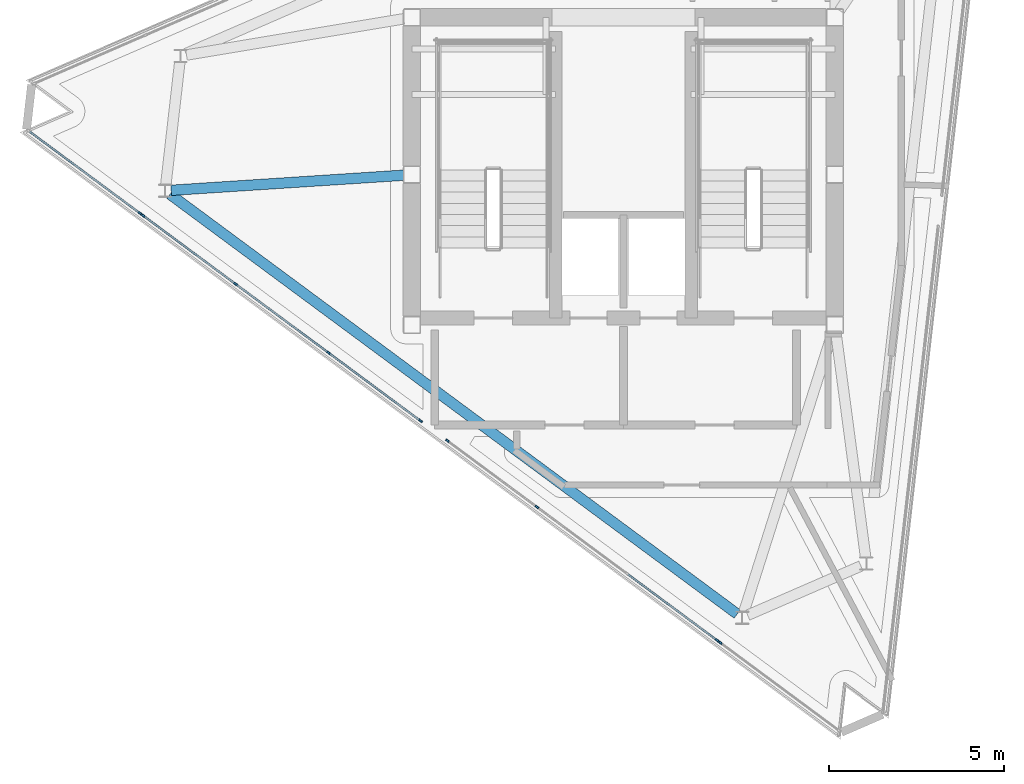
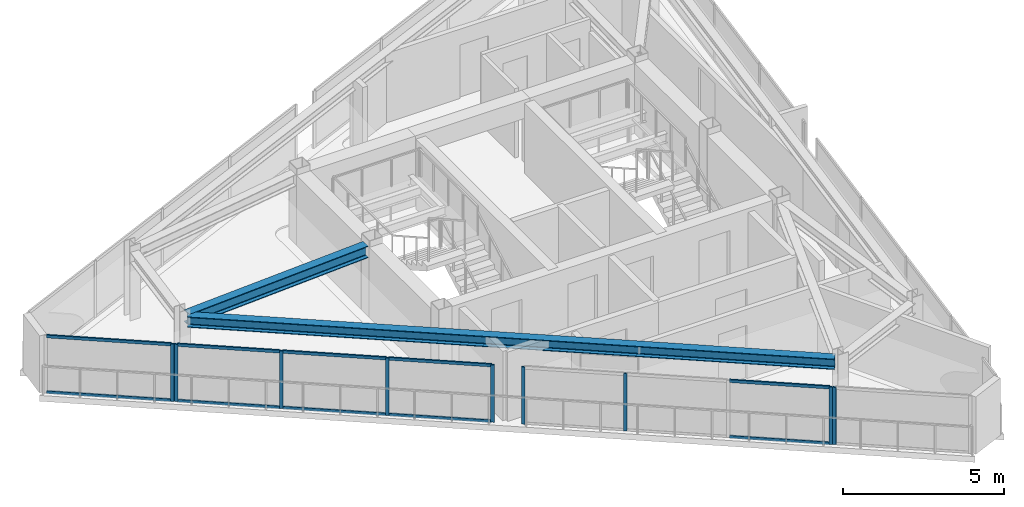
# One storey, part 2 of 10: 19 members, 2 beams, 4 elements without a shape of their own.
"""IFC4 building model written with IfcOpenShell, lengths in metres."""

from ifc_helpers import new_model, si_unit, direction, frame, origin, origin_2d, place, context, subcontext, project, spatial, rectangle, i_section, extrude, material, layer, layer_set, material_profile, profile_set, type_object, element, aggregate, save


model = new_model("IFC4")

# Units and contexts
model_context = context("Model", 3, precision=1e-05, world=origin(), true_north=direction((0.0, 1.0)))
body_context = subcontext(model_context, "Body", "Model", "MODEL_VIEW")
ifc_project = project(units=[si_unit("LENGTHUNIT", "METRE"), si_unit("AREAUNIT", "SQUARE_METRE"), si_unit("VOLUMEUNIT", "CUBIC_METRE"), si_unit("PLANEANGLEUNIT", "RADIAN"), si_unit("MASSUNIT", "GRAM", prefix="KILO")], contexts=[model_context])

# Site, building, storey
site_placement = place(None, origin())
site = spatial("IfcSite", under=ifc_project, at=site_placement, CompositionType="ELEMENT")
building_placement = place(site_placement, origin())
building = spatial("IfcBuilding", under=site, at=building_placement, Name="Rocaltana Carrier Exchange", CompositionType="ELEMENT")
storey_placement = place(building_placement, frame((0.0, 0.0, 252.0)))
storey = spatial("IfcBuildingStorey", under=building, at=storey_placement, Name="L80", CompositionType="ELEMENT", Elevation=252.0)

# Curtain wall, member
ifc_material_1 = material(Name="Aluminium 6063-T6", Category="aluminium")
ifc_layer = layer(ifc_material_1, 0.110107421875)
ifc_layer_set = layer_set([ifc_layer], Name="Aluminium 6063-T6")
curtain_wall_type = type_object("IfcCurtainWallType", Name="Crown Lantern Faceted Curtain Wall CW-06", PredefinedType="NOTDEFINED", material=ifc_layer_set)
curtain_wall_1_placement = place(storey_placement, origin())
curtain_wall_1 = element("IfcCurtainWall", 1, at=curtain_wall_1_placement, inside=storey, type_object=curtain_wall_type, Name="L80 CW-06 Run CW06-L80-F3S1-S1", PredefinedType="NOTDEFINED")
ifc_material_2 = material(Name="Aluminium 6063-T6", Category="aluminium")
ifc_material_profile_1 = material_profile(ifc_material_2, rectangle(XDim=0.054931640625, YDim=0.110107421875, at=origin_2d()), Name="AL-55X110")
ifc_profile_set_1 = profile_set([ifc_material_profile_1], Name="Aluminium 6063-T6")
member_type_1 = type_object("IfcMemberType", Name="CW-06 Mullion AL-55X110", PredefinedType="MULLION", material=ifc_profile_set_1)
member_1_placement = place(storey_placement, frame((-13.83447265625, -1.1025390625, 0.0), z_axis=(0.0, 0.0, 1.0), x_axis=(0.594839462452, 0.80384452098, 0.0)))
member_1 = element("IfcMember", 2, at=member_1_placement, type_object=member_type_1, Name="CW-06 mullion 2", PredefinedType="MULLION", context=body_context, shape_type="SweptSolid", body=[
    extrude(rectangle(XDim=0.054931640625, YDim=0.110107421875, at=origin_2d()), origin(), (0.0, 0.0, 1.0), 2.16796875),
])

# Curtain wall, members
curtain_wall_2_placement = place(storey_placement, origin())
curtain_wall_2 = element("IfcCurtainWall", 3, at=curtain_wall_2_placement, inside=storey, type_object=curtain_wall_type, Name="L80 CW-06 Run CW06-L80-F3S1-S2", PredefinedType="NOTDEFINED")
member_2_placement = place(storey_placement, frame((-13.7373046875, -1.174560546875, 0.0), z_axis=(0.0, 0.0, 1.0), x_axis=(0.594820601669, 0.803858477489, 0.0)))
member_2 = element("IfcMember", 4, at=member_2_placement, type_object=member_type_1, Name="CW-06 mullion 1", PredefinedType="MULLION", context=body_context, shape_type="SweptSolid", body=[
    extrude(rectangle(XDim=0.054931640625, YDim=0.110107421875, at=origin_2d()), origin(), (0.0, 0.0, 1.0), 2.16796875),
])
member_3_placement = place(storey_placement, frame((-11.100830078125, -3.12548828125, 0.0), z_axis=(0.0, 0.0, 1.0), x_axis=(0.594820601669, 0.803858477489, 0.0)))
member_3 = element("IfcMember", 5, at=member_3_placement, type_object=member_type_1, Name="CW-06 mullion 2", PredefinedType="MULLION", context=body_context, shape_type="SweptSolid", body=[
    extrude(rectangle(XDim=0.054931640625, YDim=0.110107421875, at=origin_2d()), origin(), (0.0, 0.0, 1.0), 2.16796875),
])
member_4_placement = place(storey_placement, frame((-8.442138671875, -5.092529296875, 0.0), z_axis=(0.0, 0.0, 1.0), x_axis=(0.594820601669, 0.803858477489, 0.0)))
member_4 = element("IfcMember", 6, at=member_4_placement, type_object=member_type_1, Name="CW-06 mullion 3", PredefinedType="MULLION", context=body_context, shape_type="SweptSolid", body=[
    extrude(rectangle(XDim=0.054931640625, YDim=0.110107421875, at=origin_2d()), origin(), (0.0, 0.0, 1.0), 2.16796875),
])
member_5_placement = place(storey_placement, frame((-5.805908203125, -7.04345703125, 0.0), z_axis=(0.0, 0.0, 1.0), x_axis=(0.594820601669, 0.803858477489, 0.0)))
member_5 = element("IfcMember", 7, at=member_5_placement, type_object=member_type_1, Name="CW-06 mullion 4", PredefinedType="MULLION", context=body_context, shape_type="SweptSolid", body=[
    extrude(rectangle(XDim=0.054931640625, YDim=0.110107421875, at=origin_2d()), origin(), (0.0, 0.0, 1.0), 2.16796875),
])

curtain_wall_3_placement = place(storey_placement, origin())
curtain_wall_3 = element("IfcCurtainWall", 8, at=curtain_wall_3_placement, inside=storey, type_object=curtain_wall_type, Name="L80 CW-06 Run CW06-L80-F3S2-S1", PredefinedType="NOTDEFINED")
member_6_placement = place(storey_placement, frame((-5.0380859375, -7.611572265625, 0.0), z_axis=(0.0, 0.0, 1.0), x_axis=(0.594825190977, 0.803855081578, 0.0)))
member_6 = element("IfcMember", 9, at=member_6_placement, type_object=member_type_1, Name="CW-06 mullion 1", PredefinedType="MULLION", context=body_context, shape_type="SweptSolid", body=[
    extrude(rectangle(XDim=0.054931640625, YDim=0.110107421875, at=origin_2d()), origin(), (0.0, 0.0, 1.0), 2.16796875),
])
member_7_placement = place(storey_placement, frame((-2.47509765625, -9.508056640625, 0.0), z_axis=(0.0, 0.0, 1.0), x_axis=(0.594825190977, 0.803855081578, 0.0)))
member_7 = element("IfcMember", 10, at=member_7_placement, type_object=member_type_1, Name="CW-06 mullion 2", PredefinedType="MULLION", context=body_context, shape_type="SweptSolid", body=[
    extrude(rectangle(XDim=0.054931640625, YDim=0.110107421875, at=origin_2d()), origin(), (0.0, 0.0, 1.0), 2.16796875),
])
member_8_placement = place(storey_placement, frame((2.673583984375, -13.31787109375, 0.0), z_axis=(0.0, 0.0, 1.0), x_axis=(0.594825190977, 0.803855081578, 0.0)))
member_8 = element("IfcMember", 11, at=member_8_placement, type_object=member_type_1, Name="CW-06 mullion 4", PredefinedType="MULLION", context=body_context, shape_type="SweptSolid", body=[
    extrude(rectangle(XDim=0.054931640625, YDim=0.110107421875, at=origin_2d()), origin(), (0.0, 0.0, 1.0), 2.16796875),
])

# Curtain wall, member
curtain_wall_4_placement = place(storey_placement, origin())
curtain_wall_4 = element("IfcCurtainWall", 12, at=curtain_wall_4_placement, inside=storey, type_object=curtain_wall_type, Name="L80 CW-06 Run CW06-L80-F3S2-S2", PredefinedType="NOTDEFINED")
member_9_placement = place(storey_placement, frame((2.770751953125, -13.3896484375, 0.0), z_axis=(0.0, 0.0, 1.0), x_axis=(0.594816770777, 0.803861312169, 0.0)))
member_9 = element("IfcMember", 13, at=member_9_placement, type_object=member_type_1, Name="CW-06 mullion 1", PredefinedType="MULLION", context=body_context, shape_type="SweptSolid", body=[
    extrude(rectangle(XDim=0.054931640625, YDim=0.110107421875, at=origin_2d()), origin(), (0.0, 0.0, 1.0), 2.16796875),
])
aggregate(curtain_wall_4, [member_9])

# Member
ifc_material_3 = material(Name="Aluminium 6063-T6", Category="aluminium")
ifc_material_profile_2 = material_profile(ifc_material_3, rectangle(XDim=0.054931640625, YDim=0.110107421875, at=origin_2d()), Name="AL-55X110")
ifc_profile_set_2 = profile_set([ifc_material_profile_2], Name="Aluminium 6063-T6")
member_type_2 = type_object("IfcMemberType", Name="CW-06 Transom AL-55X110", PredefinedType="USERDEFINED", material=ifc_profile_set_2)
member_10_placement = place(storey_placement, frame((-16.993408203125, 1.235107421875, 0.027587890625), z_axis=(0.803827539394, -0.594862410068, 0.0), x_axis=(0.594862410068, 0.803827539394, 0.0)))
member_10 = element("IfcMember", 14, at=member_10_placement, type_object=member_type_2, Name="CW-06 transom 1.1", ObjectType="TRANSOM", PredefinedType="USERDEFINED", context=body_context, shape_type="SweptSolid", body=[
    extrude(rectangle(XDim=0.054931640625, YDim=0.110107421875, at=origin_2d()), origin(), (0.0, 0.0, 1.0), 3.90234375),
])

member_11_placement = place(storey_placement, frame((-16.993408203125, 1.235107421875, 2.140380859375), z_axis=(0.803827539394, -0.594862410068, 0.0), x_axis=(0.594862410068, 0.803827539394, 0.0)))
member_11 = element("IfcMember", 15, at=member_11_placement, type_object=member_type_2, Name="CW-06 transom 1.2", ObjectType="TRANSOM", PredefinedType="USERDEFINED", context=body_context, shape_type="SweptSolid", body=[
    extrude(rectangle(XDim=0.054931640625, YDim=0.110107421875, at=origin_2d()), origin(), (0.0, 0.0, 1.0), 3.90234375),
])

aggregate(curtain_wall_1, [member_1, member_10, member_11])

member_12_placement = place(storey_placement, frame((-13.715087890625, -1.19091796875, 0.027587890625), z_axis=(0.803853483013, -0.594827351294, 0.0), x_axis=(0.594827351294, 0.803853483013, 0.0)))
member_12 = element("IfcMember", 16, at=member_12_placement, type_object=member_type_2, Name="CW-06 transom 1.1", ObjectType="TRANSOM", PredefinedType="USERDEFINED", context=body_context, shape_type="SweptSolid", body=[
    extrude(rectangle(XDim=0.054931640625, YDim=0.110107421875, at=origin_2d()), origin(), (0.0, 0.0, 1.0), 3.224853515625),
])

member_13_placement = place(storey_placement, frame((-13.715087890625, -1.19091796875, 2.140380859375), z_axis=(0.803853483013, -0.594827351294, 0.0), x_axis=(0.594827351294, 0.803853483013, 0.0)))
member_13 = element("IfcMember", 17, at=member_13_placement, type_object=member_type_2, Name="CW-06 transom 1.2", ObjectType="TRANSOM", PredefinedType="USERDEFINED", context=body_context, shape_type="SweptSolid", body=[
    extrude(rectangle(XDim=0.054931640625, YDim=0.110107421875, at=origin_2d()), origin(), (0.0, 0.0, 1.0), 3.224853515625),
])

member_14_placement = place(storey_placement, frame((-11.07861328125, -3.141845703125, 0.027587890625), z_axis=(0.803874922821, -0.594798376309, 0.0), x_axis=(0.594798376309, 0.803874922821, 0.0)))
member_14 = element("IfcMember", 18, at=member_14_placement, type_object=member_type_2, Name="CW-06 transom 2.1", ObjectType="TRANSOM", PredefinedType="USERDEFINED", context=body_context, shape_type="SweptSolid", body=[
    extrude(rectangle(XDim=0.054931640625, YDim=0.110107421875, at=origin_2d()), origin(), (0.0, 0.0, 1.0), 3.251953125),
])

member_15_placement = place(storey_placement, frame((-11.07861328125, -3.141845703125, 2.140380859375), z_axis=(0.803874922821, -0.594798376309, 0.0), x_axis=(0.594798376309, 0.803874922821, 0.0)))
member_15 = element("IfcMember", 19, at=member_15_placement, type_object=member_type_2, Name="CW-06 transom 2.2", ObjectType="TRANSOM", PredefinedType="USERDEFINED", context=body_context, shape_type="SweptSolid", body=[
    extrude(rectangle(XDim=0.054931640625, YDim=0.110107421875, at=origin_2d()), origin(), (0.0, 0.0, 1.0), 3.251953125),
])

member_16_placement = place(storey_placement, frame((-8.420166015625, -5.10888671875, 0.027587890625), z_axis=(0.803853483013, -0.594827351294, 0.0), x_axis=(0.594827351294, 0.803853483013, 0.0)))
member_16 = element("IfcMember", 20, at=member_16_placement, type_object=member_type_2, Name="CW-06 transom 3.1", ObjectType="TRANSOM", PredefinedType="USERDEFINED", context=body_context, shape_type="SweptSolid", body=[
    extrude(rectangle(XDim=0.054931640625, YDim=0.110107421875, at=origin_2d()), origin(), (0.0, 0.0, 1.0), 3.224853515625),
])

member_17_placement = place(storey_placement, frame((-8.420166015625, -5.10888671875, 2.140380859375), z_axis=(0.803853483013, -0.594827351294, 0.0), x_axis=(0.594827351294, 0.803853483013, 0.0)))
member_17 = element("IfcMember", 21, at=member_17_placement, type_object=member_type_2, Name="CW-06 transom 3.2", ObjectType="TRANSOM", PredefinedType="USERDEFINED", context=body_context, shape_type="SweptSolid", body=[
    extrude(rectangle(XDim=0.054931640625, YDim=0.110107421875, at=origin_2d()), origin(), (0.0, 0.0, 1.0), 3.224853515625),
])

aggregate(curtain_wall_2, [member_2, member_3, member_4, member_5, member_12, member_13, member_14, member_15, member_16, member_17])

member_18_placement = place(storey_placement, frame((0.13232421875, -11.4375, 0.027587890625), z_axis=(0.803853819818, -0.594826896134, 0.0), x_axis=(0.594826896134, 0.803853819818, 0.0)))
member_18 = element("IfcMember", 22, at=member_18_placement, type_object=member_type_2, Name="CW-06 transom 3.1", ObjectType="TRANSOM", PredefinedType="USERDEFINED", context=body_context, shape_type="SweptSolid", body=[
    extrude(rectangle(XDim=0.054931640625, YDim=0.110107421875, at=origin_2d()), origin(), (0.0, 0.0, 1.0), 3.1337890625),
])

member_19_placement = place(storey_placement, frame((0.13232421875, -11.4375, 2.140380859375), z_axis=(0.803853819818, -0.594826896134, 0.0), x_axis=(0.594826896134, 0.803853819818, 0.0)))
member_19 = element("IfcMember", 23, at=member_19_placement, type_object=member_type_2, Name="CW-06 transom 3.2", ObjectType="TRANSOM", PredefinedType="USERDEFINED", context=body_context, shape_type="SweptSolid", body=[
    extrude(rectangle(XDim=0.054931640625, YDim=0.110107421875, at=origin_2d()), origin(), (0.0, 0.0, 1.0), 3.1337890625),
])

aggregate(curtain_wall_3, [member_6, member_7, member_8, member_18, member_19])

# Beams
ifc_material_4 = material(Name="Steel S460", Category="steel")
ifc_material_profile_3 = material_profile(ifc_material_4, i_section(OverallWidth=0.300048828125, OverallDepth=0.449951171875, WebThickness=0.013916015625, FlangeThickness=0.02587890625, FilletRadius=0.027099609375, at=origin_2d()), Name="HEB450")
ifc_profile_set_3 = profile_set([ifc_material_profile_3], Name="Steel S460")
beam_type_1 = type_object("IfcBeamType", Name="Crown Frame Rafter HEB450", PredefinedType="BEAM", material=ifc_profile_set_3)
beam_1_placement = place(storey_placement, frame((-6.29150390625, -0.015625, 2.423095703125), z_axis=(-0.997900854841, -0.064760203118, 0.0), x_axis=(0.064760203118, -0.997900854841, 0.0)))
element("IfcBeam", 24, at=beam_1_placement, inside=storey, type_object=beam_type_1, Name="CRG-RAD-L80-05", PredefinedType="BEAM", context=body_context, shape_type="SweptSolid", body=[
    extrude(i_section(OverallWidth=0.300048828125, OverallDepth=0.449951171875, WebThickness=0.013916015625, FlangeThickness=0.02587890625, FilletRadius=0.027099609375, at=origin_2d()), origin(), (0.0, 0.0, 1.0), 6.661376953125),
])
ifc_material_5 = material(Name="Steel S460", Category="steel")
ifc_material_profile_4 = material_profile(ifc_material_5, i_section(OverallWidth=0.300048828125, OverallDepth=0.39990234375, WebThickness=0.013427734375, FlangeThickness=0.02392578125, FilletRadius=0.027099609375, at=origin_2d()), Name="HEB400")
ifc_profile_set_4 = profile_set([ifc_material_profile_4], Name="Steel S460")
beam_type_2 = type_object("IfcBeamType", Name="Crown Ring Beam HEB400", PredefinedType="BEAM", material=ifc_profile_set_4)
beam_2_placement = place(storey_placement, frame((-12.97265625, -0.561767578125, 2.447998046875), z_axis=(0.803856586634, -0.594823157018, 0.0), x_axis=(0.594823157018, 0.803856586634, 0.0)))
element("IfcBeam", 25, at=beam_2_placement, inside=storey, type_object=beam_type_2, Name="CRG-RING-L80-05", PredefinedType="BEAM", context=body_context, shape_type="SweptSolid", body=[
    extrude(i_section(OverallWidth=0.300048828125, OverallDepth=0.39990234375, WebThickness=0.013427734375, FlangeThickness=0.02392578125, FilletRadius=0.027099609375, at=origin_2d()), origin(), (0.0, 0.0, 1.0), 20.18798828125),
])

save(model, "model.ifc")
